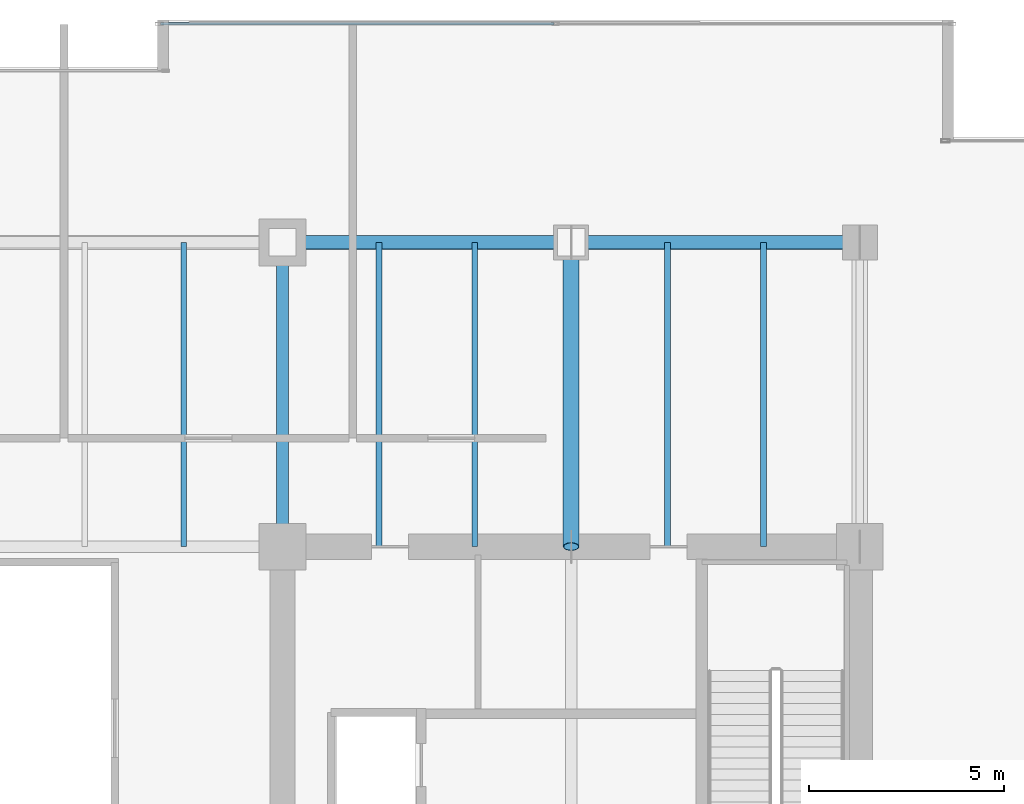
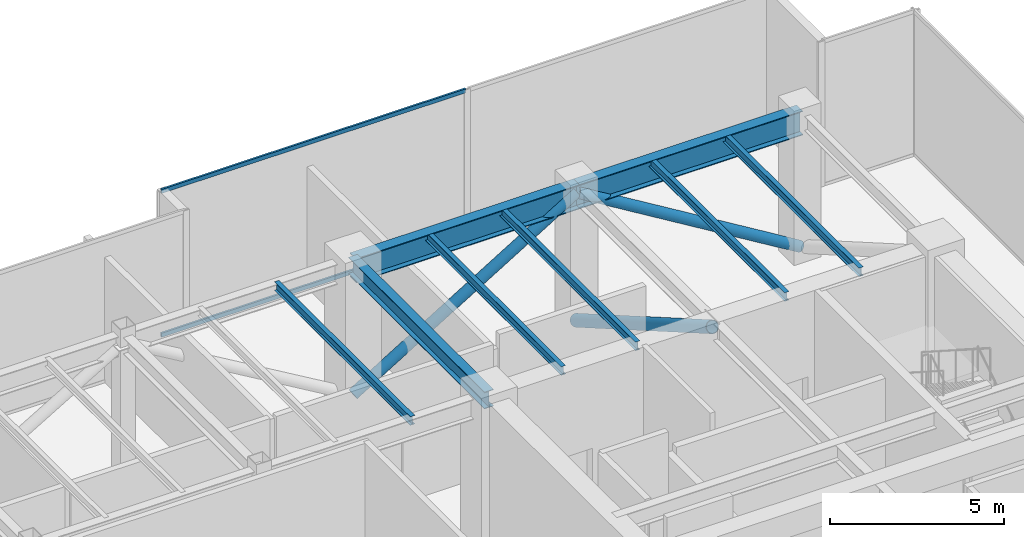
# One storey, part 19 of 34: 8 beams, 5 members, 1 element without a shape of its own.
"""IFC4 building model written with IfcOpenShell, lengths in metres."""

from ifc_helpers import new_model, si_unit, direction, frame, origin, origin_2d, place, context, subcontext, project, spatial, hollow_rectangle, hollow_circle, i_section, extrude, source, transform, mapped, material, layer, layer_set, material_profile, profile_set, type_object, type_shapes, element, aggregate, save


model = new_model("IFC4")

# Units and contexts
model_context = context("Model", 3, precision=1e-05, world=origin(), true_north=direction((0.0, 1.0)))
body_context = subcontext(model_context, "Body", "Model", "MODEL_VIEW")
ifc_project = project(units=[si_unit("LENGTHUNIT", "METRE"), si_unit("AREAUNIT", "SQUARE_METRE"), si_unit("VOLUMEUNIT", "CUBIC_METRE"), si_unit("PLANEANGLEUNIT", "RADIAN"), si_unit("MASSUNIT", "GRAM", prefix="KILO")], contexts=[model_context])

# Site, building, storey
site_placement = place(None, origin())
site = spatial("IfcSite", under=ifc_project, at=site_placement, CompositionType="ELEMENT")
building_placement = place(site_placement, origin())
building = spatial("IfcBuilding", under=site, at=building_placement, Name="Haelvirn Gate Laboratories", CompositionType="ELEMENT")
storey_placement = place(building_placement, frame((0.0, 0.0, 191.199951171875)))
storey = spatial("IfcBuildingStorey", under=building, at=storey_placement, Name="L46", CompositionType="ELEMENT", Elevation=191.199951171875)

# Beams
ifc_material_1 = material(Name="Steel SM420", Category="steel")
ifc_material_profile_1 = material_profile(ifc_material_1, i_section(OverallWidth=0.35009765625, OverallDepth=0.85009765625, WebThickness=0.01611328125, FlangeThickness=0.028076171875, at=origin_2d()), Name="H-850x350x16x28")
ifc_profile_set_1 = profile_set([ifc_material_profile_1], Name="Steel SM420")
beam_type_1 = type_object("IfcBeamType", Name="BM-AG-850", PredefinedType="BEAM", material=ifc_profile_set_1)
shared_shape_1 = source(origin(), body_context, "Body", "SweptSolid", [
    extrude(i_section(OverallWidth=0.35009765625, OverallDepth=0.85009765625, WebThickness=0.01611328125, FlangeThickness=0.028076171875, at=origin_2d()), origin(), (0.0, 0.0, 1.0), 7.39990234375),
])
type_shapes(beam_type_1, [shared_shape_1])
for number, where, z_axis, x_axis, name in (
    (1, (52.60009765625, 41.60009765625, 4.675048828125), (1.0, 0.0, 0.0), (0.0, 1.0, 0.0), "L46 Primary Girder Y41.6 (52.6-60.0)"),
    (2, (60.0, 41.60009765625, 4.675048828125), (1.0, 0.0, 0.0), (0.0, 1.0, 0.0), "L46 Primary Girder Y41.6 (60.0-67.4)"),
):
    element("IfcBeam", number, at=place(storey_placement, frame(where, z_axis=z_axis, x_axis=x_axis)), inside=storey, type_object=beam_type_1, Name=name, PredefinedType="BEAM", context=body_context, shape_type="MappedRepresentation", body=[
        mapped(shared_shape_1, transform((0.0, 0.0, 0.0), scale=1.0)),
    ])
ifc_material_2 = material(Name="Steel SM355", Category="steel")
ifc_material_profile_2 = material_profile(ifc_material_2, i_section(OverallWidth=0.14990234375, OverallDepth=0.300048828125, WebThickness=0.006591796875, FlangeThickness=0.009033203125, at=origin_2d()), Name="H-300x150x6.5x9")
ifc_profile_set_2 = profile_set([ifc_material_profile_2], Name="Steel SM355")
beam_type_2 = type_object("IfcBeamType", Name="BM-J-300", PredefinedType="JOIST", material=ifc_profile_set_2)
shared_shape_2 = source(origin(), body_context, "Body", "SweptSolid", [
    extrude(i_section(OverallWidth=0.14990234375, OverallDepth=0.300048828125, WebThickness=0.006591796875, FlangeThickness=0.009033203125, at=origin_2d()), origin(), (0.0, 0.0, 1.0), 7.800048828125),
])
type_shapes(beam_type_2, [shared_shape_2])
for number, where, z_axis, x_axis, name in (
    (3, (50.070068359375, 33.800048828125, 4.949951171875), (0.0, 1.0, 0.0), (-1.0, 0.0, 0.0), "L46 Composite Lab Joist North X50.07"),
    (4, (55.070068359375, 33.800048828125, 4.949951171875), (0.0, 1.0, 0.0), (-1.0, 0.0, 0.0), "L46 Composite Lab Joist North X55.07"),
    (5, (57.530029296875, 33.800048828125, 4.949951171875), (0.0, 1.0, 0.0), (-1.0, 0.0, 0.0), "L46 Composite Lab Joist North X57.53"),
    (6, (62.469970703125, 33.800048828125, 4.949951171875), (0.0, 1.0, 0.0), (-1.0, 0.0, 0.0), "L46 Composite Lab Joist North X62.47"),
    (7, (64.929931640625, 33.800048828125, 4.949951171875), (0.0, 1.0, 0.0), (-1.0, 0.0, 0.0), "L46 Composite Lab Joist North X64.93"),
):
    element("IfcBeam", number, at=place(storey_placement, frame(where, z_axis=z_axis, x_axis=x_axis)), inside=storey, type_object=beam_type_2, Name=name, PredefinedType="JOIST", context=body_context, shape_type="MappedRepresentation", body=[
        mapped(shared_shape_2, transform((0.0, 0.0, 0.0), scale=1.0)),
    ])
ifc_material_profile_3 = material_profile(ifc_material_2, i_section(OverallWidth=0.300048828125, OverallDepth=0.587890625, WebThickness=0.011962890625, FlangeThickness=0.02001953125, at=origin_2d()), Name="H-588x300x12x20")
ifc_profile_set_3 = profile_set([ifc_material_profile_3], Name="Steel SM355")
beam_type_3 = type_object("IfcBeamType", Name="BM-G-588", PredefinedType="BEAM", material=ifc_profile_set_3)
shared_shape_3 = source(origin(), body_context, "Body", "SweptSolid", [
    extrude(i_section(OverallWidth=0.300048828125, OverallDepth=0.587890625, WebThickness=0.011962890625, FlangeThickness=0.02001953125, at=origin_2d()), origin(), (0.0, 0.0, 1.0), 7.800048828125),
])
type_shapes(beam_type_3, [shared_shape_3])
beam_placement = place(storey_placement, frame((52.60009765625, 33.800048828125, 4.80615234375), z_axis=(0.0, 1.0, 0.0), x_axis=(-1.0, 0.0, 0.0)))
element("IfcBeam", 8, at=beam_placement, inside=storey, type_object=beam_type_3, Name="L46 Frame Girder X52.6 (33.8-41.6)", PredefinedType="BEAM", context=body_context, shape_type="MappedRepresentation", body=[
    mapped(shared_shape_3, transform((0.0, 0.0, 0.0), scale=1.0)),
])

# Members
ifc_material_profile_4 = material_profile(ifc_material_1, hollow_circle(Radius=0.203125, WallThickness=0.01611328125, at=origin_2d()), Name="CHS-406x16")
ifc_profile_set_4 = profile_set([ifc_material_profile_4], Name="Steel SM420")
member_type_1 = type_object("IfcMemberType", Name="MEM-OUTRIG-2", PredefinedType="BRACE", material=ifc_profile_set_4)
shared_shape_4 = source(origin(), body_context, "Body", "SweptSolid", [
    extrude(hollow_circle(Radius=0.203125, WallThickness=0.01611328125, at=origin_2d()), origin(), (0.0, 0.0, 1.0), 9.005126953125),
])
type_shapes(member_type_1, [shared_shape_4])
member_1_placement = place(storey_placement, frame((60.0, 33.800048828125, 4.75), z_axis=(0.0, 0.866186940118, -0.499720106428), x_axis=(-1.0, 0.0, 0.0)))
element("IfcMember", 9, at=member_1_placement, inside=storey, type_object=member_type_1, Name="L46 Outrigger Truss Arm EN1", PredefinedType="BRACE", context=body_context, shape_type="MappedRepresentation", body=[
    mapped(shared_shape_4, transform((0.0, 0.0, 0.0), scale=1.0)),
])
ifc_material_profile_5 = material_profile(ifc_material_2, hollow_circle(Radius=0.177734375, WallThickness=0.013916015625, at=origin_2d()), Name="CHS-355x14")
ifc_profile_set_5 = profile_set([ifc_material_profile_5], Name="Steel SM355")
member_type_2 = type_object("IfcMemberType", Name="MEM-BELT-1", PredefinedType="STRUT", material=ifc_profile_set_5)
shared_shape_5 = source(origin(), body_context, "Body", "SweptSolid", [
    extrude(hollow_circle(Radius=0.177734375, WallThickness=0.013916015625, at=origin_2d()), origin(), (0.0, 0.0, 1.0), 8.66064453125),
])
type_shapes(member_type_2, [shared_shape_5])
for number, where, z_axis, x_axis, name in (
    (10, (52.60009765625, 41.60009765625, 0.25), (0.854418394814, 0.0, 0.519585610466), (0.0, 1.0, 0.0), "L46 Perimeter Belt Truss N7"),
    (11, (60.0, 41.60009765625, 4.75), (0.854418394814, 0.0, -0.519585610466), (0.0, 1.0, 0.0), "L46 Perimeter Belt Truss N8"),
):
    element("IfcMember", number, at=place(storey_placement, frame(where, z_axis=z_axis, x_axis=x_axis)), inside=storey, type_object=member_type_2, Name=name, PredefinedType="STRUT", context=body_context, shape_type="MappedRepresentation", body=[
        mapped(shared_shape_5, transform((0.0, 0.0, 0.0), scale=1.0)),
    ])

# Curtain wall, members
ifc_material_3 = material(Name="Anodised bronze unitised aluminium & triple low-E glass", Category="aluminium")
ifc_layer = layer(ifc_material_3, 0.179931640625, Name="CW-SYS-3")
ifc_layer_set = layer_set([ifc_layer], Name="Anodised bronze unitised aluminium & triple low-E glass")
curtain_wall_type = type_object("IfcCurtainWallType", Name="CW-SYS-3", PredefinedType="NOTDEFINED", material=ifc_layer_set)
curtain_wall_placement = place(storey_placement, origin())
curtain_wall = element("IfcCurtainWall", 12, at=curtain_wall_placement, inside=storey, type_object=curtain_wall_type, Name="L46 Unitised Curtain Wall CW-L46-P0-E10-1", PredefinedType="NOTDEFINED")
ifc_material_4 = material(Name="Extruded aluminium 6063-T6 (anodised bronze)", Category="aluminium")
ifc_material_profile_6 = material_profile(ifc_material_4, hollow_rectangle(XDim=0.06494140625, YDim=0.139892578125, WallThickness=0.00390625, at=origin_2d()), Name="CWT-140x65x4")
ifc_profile_set_6 = profile_set([ifc_material_profile_6], Name="Extruded aluminium 6063-T6 (anodised bronze)")
member_type_3 = type_object("IfcMemberType", Name="CWT-T140", PredefinedType="USERDEFINED", material=ifc_profile_set_6)
shared_shape_6 = source(origin(), body_context, "Body", "SweptSolid", [
    extrude(hollow_rectangle(XDim=0.06494140625, YDim=0.139892578125, WallThickness=0.00390625, at=origin_2d()), origin(), (0.0, 0.0, 1.0), 10.08740234375),
])
type_shapes(member_type_3, [shared_shape_6])
member_2_placement = place(storey_placement, frame((49.47509765625, 47.199951171875, 0.032470703125), z_axis=(1.0, 0.0, 0.0), x_axis=(0.0, 1.0, 0.0)))
member_2 = element("IfcMember", 13, at=member_2_placement, type_object=member_type_3, Name="CW3 transom 1.1", ObjectType="TRANSOM", PredefinedType="USERDEFINED", context=body_context, shape_type="MappedRepresentation", body=[
    mapped(shared_shape_6, transform((0.0, 0.0, 0.0), scale=1.0)),
])
member_3_placement = place(storey_placement, frame((49.47509765625, 47.199951171875, 5.067626953125), z_axis=(1.0, 0.0, 0.0), x_axis=(0.0, 1.0, 0.0)))
member_3 = element("IfcMember", 14, at=member_3_placement, type_object=member_type_3, Name="CW3 transom 1.2", ObjectType="TRANSOM", PredefinedType="USERDEFINED", context=body_context, shape_type="MappedRepresentation", body=[
    mapped(shared_shape_6, transform((0.0, 0.0, 0.0), scale=1.0)),
])
aggregate(curtain_wall, [member_2, member_3])

save(model, "model.ifc")
